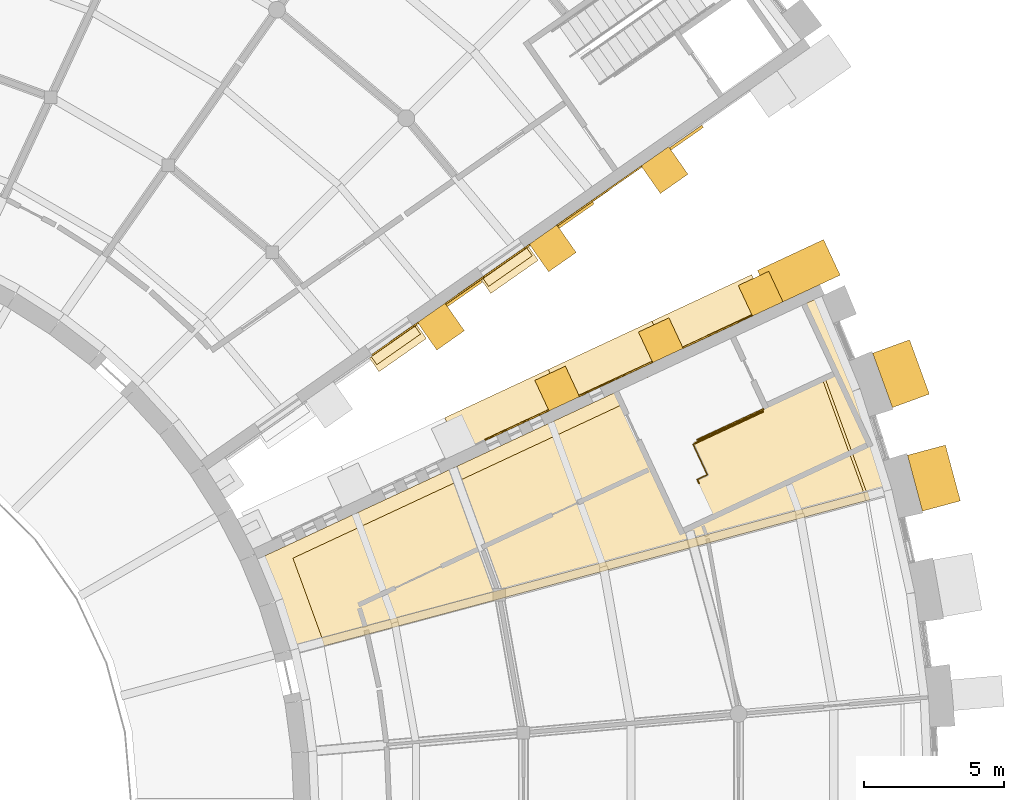
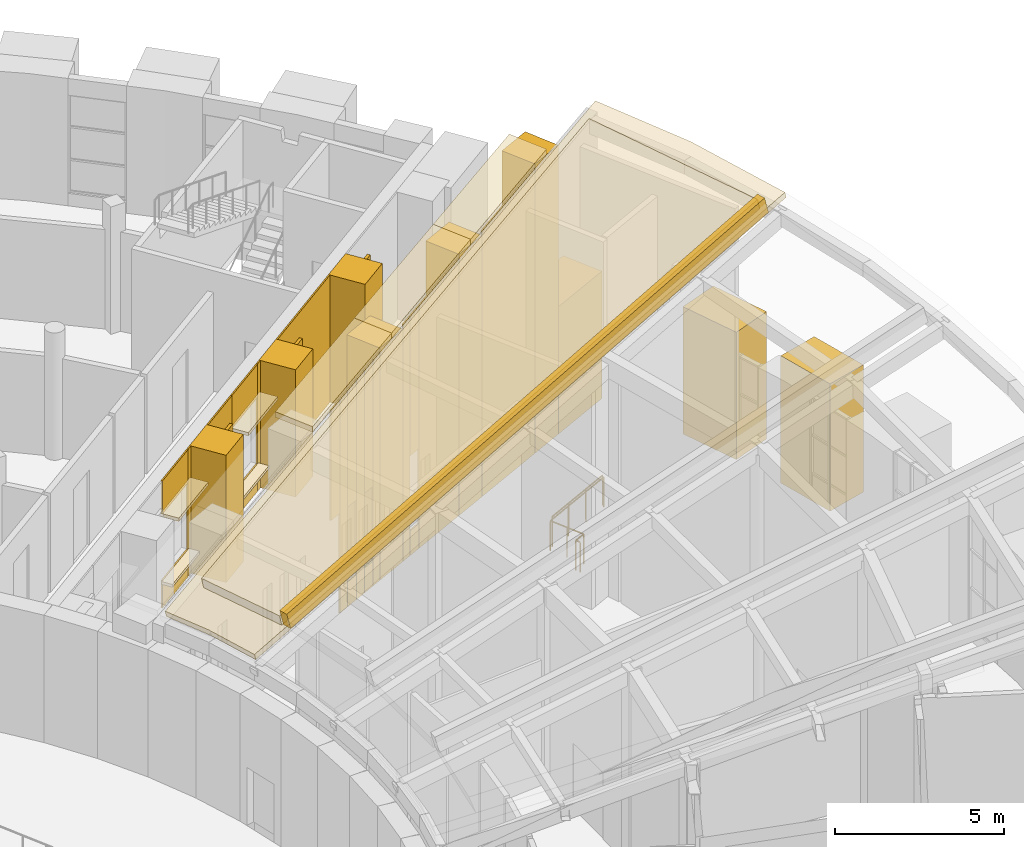
# One storey, part 44 of 50: 43 coverings, 2 railings.
"""IFC4 building model written with IfcOpenShell, lengths in metres."""

import ifcopenshell
import ifcopenshell.guid

model = None  # the IFC model being written
_history = None  # IfcOwnerHistory: only IFC2X3 demands one
_inside = {}  # id of a spatial element -> (the spatial element, [elements in it])
_under = {}  # id of a project, library or spatial element -> (it, [spatial elements below it])
_declared = {}  # id of a project -> (the project, [libraries it declares])
_typed = {}  # id of a type object -> (the type object, [elements of that type])
_made_of = {}  # id of a material, layer set ... -> (it, [elements and type objects made of it])


def new_model(schema):
    """Start an empty IFC model of exactly this schema.

    Asked for "IFC4X3", IfcOpenShell would pick the latest addendum, in which some entities
    have other attributes; the version numbers below select the first issue.
    IFC2X3 requires an IfcOwnerHistory on every rooted entity: one is made here for all.
    """
    global model, _history
    if schema == "IFC4X3":
        model = ifcopenshell.file(schema_version=(4, 3, 0, 0))
    else:
        model = ifcopenshell.file(schema=schema)
    _inside.clear()
    _under.clear()
    _declared.clear()
    _typed.clear()
    _made_of.clear()
    _history = None
    if model.schema == "IFC2X3":
        org = make("IfcOrganization", Name="unknown")
        user = make(
            "IfcPersonAndOrganization",
            ThePerson=make("IfcPerson", FamilyName="unknown"),
            TheOrganization=org,
        )
        app = make(
            "IfcApplication",
            ApplicationDeveloper=org,
            Version="unknown",
            ApplicationFullName="unknown",
            ApplicationIdentifier="unknown",
        )
        _history = make(
            "IfcOwnerHistory",
            OwningUser=user,
            OwningApplication=app,
            ChangeAction="ADDED",
            CreationDate=0,
        )
    return model


def make(cls, **values):
    """One entity of the class cls with the attributes given. An attribute that is None is left unset."""
    return model.create_entity(
        cls, **{name: value for name, value in values.items() if value is not None}
    )


def rooted(cls, **values):
    """An entity with a GlobalId (a new one), such as an element, a storey or a relation."""
    return make(cls, GlobalId=ifcopenshell.guid.new(), OwnerHistory=_history, **values)


def si_unit(unit_type, name, prefix=None):
    """IfcSIUnit, for example si_unit("LENGTHUNIT", "METRE", prefix="MILLI")."""
    return make("IfcSIUnit", UnitType=unit_type, Prefix=prefix, Name=name)


def assignment(units):
    """IfcUnitAssignment: the units of a project."""
    return None if units is None else make("IfcUnitAssignment", Units=units)


def point(xyz):
    """IfcCartesianPoint."""
    return None if xyz is None else make("IfcCartesianPoint", Coordinates=xyz)


def direction(xyz):
    """IfcDirection."""
    return None if xyz is None else make("IfcDirection", DirectionRatios=xyz)


def frame(location, z_axis=None, x_axis=None):
    """IfcAxis2Placement3D, a coordinate frame: its origin and axes. An axis left out is left unset."""
    return make(
        "IfcAxis2Placement3D",
        Location=point(location),
        Axis=direction(z_axis),
        RefDirection=direction(x_axis),
    )


def frame_2d(location, x_axis=None):
    """IfcAxis2Placement2D, a coordinate frame in the plane: its origin and x axis."""
    return make(
        "IfcAxis2Placement2D", Location=point(location), RefDirection=direction(x_axis)
    )


def origin():
    """The frame at (0, 0, 0) with its axes left unset."""
    return frame((0.0, 0.0, 0.0))


def origin_2d():
    """The frame at (0, 0) in the plane with its x axis left unset."""
    return frame_2d((0.0, 0.0))


def place(relative_to, where):
    """IfcLocalPlacement: puts the frame where relative to a parent placement (None: the world)."""
    return make(
        "IfcLocalPlacement", PlacementRelTo=relative_to, RelativePlacement=where
    )


def context(
    kind, dimensions, precision=None, world=None, true_north=None, identifier=None
):
    """IfcGeometricRepresentationContext, for example the 3D "Model" context."""
    return make(
        "IfcGeometricRepresentationContext",
        ContextIdentifier=identifier,
        ContextType=kind,
        CoordinateSpaceDimension=dimensions,
        Precision=precision,
        WorldCoordinateSystem=world,
        TrueNorth=true_north,
    )


def subcontext(parent, identifier, kind, view, scale=None):
    """IfcGeometricRepresentationSubContext, for example "Body" below "Model"."""
    return make(
        "IfcGeometricRepresentationSubContext",
        ContextIdentifier=identifier,
        ContextType=kind,
        ParentContext=parent,
        TargetScale=scale,
        TargetView=view,
    )


def project(units=None, contexts=None):
    """IfcProject with its units and contexts."""
    return rooted(
        "IfcProject",
        Name="project",
        RepresentationContexts=contexts,
        UnitsInContext=assignment(units),
    )


def spatial(cls, under=None, at=None, **own):
    """A site, building, storey or space (cls), placed at a placement, below another one or the project."""
    s = rooted(cls, ObjectPlacement=at, **own)
    if under is not None:
        _under.setdefault(under.id(), (under, []))[1].append(s)
    return s


def polyline(points):
    """IfcPolyline through the points."""
    return make("IfcPolyline", Points=[point(p) for p in points])


def profile(cls, at=None, kind="AREA", **sizes):
    """A parametric profile (cls). Its sizes go by their IFC names, for example OverallWidth=200.0."""
    return make(cls, ProfileType=kind, Position=at, **sizes)


def rectangle(**sizes):
    """IfcRectangleProfileDef."""
    return profile("IfcRectangleProfileDef", **sizes)


def circle(**sizes):
    """IfcCircleProfileDef."""
    return profile("IfcCircleProfileDef", **sizes)


def outline(outer, holes=None, kind="AREA"):
    """IfcArbitraryClosedProfileDef: a profile drawn as a closed curve; with holes, ...WithVoids."""
    if holes is None:
        return make("IfcArbitraryClosedProfileDef", ProfileType=kind, OuterCurve=outer)
    return make(
        "IfcArbitraryProfileDefWithVoids",
        ProfileType=kind,
        OuterCurve=outer,
        InnerCurves=holes,
    )


def extrude(swept, where, along, depth):
    """IfcExtrudedAreaSolid: the profile swept, set in the frame where, extruded along a direction by depth."""
    return make(
        "IfcExtrudedAreaSolid",
        SweptArea=swept,
        Position=where,
        ExtrudedDirection=direction(along),
        Depth=depth,
    )


def shape(context_of_items, identifier, shape_type, items):
    """IfcShapeRepresentation: the items that make up one representation, for example the "Body"."""
    return make(
        "IfcShapeRepresentation",
        ContextOfItems=context_of_items,
        RepresentationIdentifier=identifier,
        RepresentationType=shape_type,
        Items=items,
    )


def material(Name=None, Category=None):
    """IfcMaterial."""
    return make("IfcMaterial", Name=Name, Category=Category)


def layer(
    of_material, thickness, ventilated=None, Name=None, Category=None, Priority=None
):
    """IfcMaterialLayer: one layer of a wall or slab, of a material (None: an air gap)."""
    return make(
        "IfcMaterialLayer",
        Material=of_material,
        LayerThickness=thickness,
        IsVentilated=ventilated,
        Name=Name,
        Category=Category,
        Priority=Priority,
    )


def layer_set(layers, Name=None):
    """IfcMaterialLayerSet."""
    return make("IfcMaterialLayerSet", MaterialLayers=layers, LayerSetName=Name)


def made_of(thing, what):
    """Note that an element or type object is made of a material, layer set ...; save() writes the relation."""
    if what is not None:
        _made_of.setdefault(what.id(), (what, []))[1].append(thing)
    return thing


def type_object(cls, material=None, **own):
    """A type object (cls), such as IfcWallType, which elements share."""
    return made_of(rooted(cls, **own), material)


def element(
    cls,
    number,
    at=None,
    inside=None,
    cuts=None,
    type_object=None,
    material=None,
    context=None,
    identifier="Body",
    shape_type=None,
    held_by="IfcProductDefinitionShape",
    body=None,
    shapes=None,
    **own,
):
    """One element of the class cls, such as IfcWall. Its Tag is "e" and its number.

    at: its placement. inside: the storey or other place that contains it. cuts: it is an
    opening in that element (IfcRelVoidsElement). A single representation is given by context,
    identifier, shape_type and body (its items); several are given by shapes. held_by: the class
    of the entity that holds the representations. save() writes the other relations.
    """
    e = rooted(cls, Tag="e%d" % number, ObjectPlacement=at, **own)
    if body is not None:
        shapes = [shape(context, identifier, shape_type, body)]
    if shapes is not None:
        e.Representation = make(held_by, Representations=shapes)
    if inside is not None:
        _inside.setdefault(inside.id(), (inside, []))[1].append(e)
    if cuts is not None:
        rooted(
            "IfcRelVoidsElement", RelatingBuildingElement=cuts, RelatedOpeningElement=e
        )
    if type_object is not None:
        _typed.setdefault(type_object.id(), (type_object, []))[1].append(e)
    return made_of(e, material)


def aggregate(whole, parts):
    """IfcRelAggregates: a whole, such as a stair, and the parts it consists of."""
    return rooted("IfcRelAggregates", RelatingObject=whole, RelatedObjects=parts)


def save(model, path):
    """Write the relations noted so far, then the file.

    IfcRelAggregates (storeys below a building ...), IfcRelContainedInSpatialStructure (elements
    in a storey), IfcRelDefinesByType, IfcRelAssociatesMaterial and IfcRelDeclares: one each for
    every whole, place, type object, material and project.
    """
    for whole, parts in _under.values():
        aggregate(whole, parts)
    for where, things in _inside.values():
        rooted(
            "IfcRelContainedInSpatialStructure",
            RelatedElements=things,
            RelatingStructure=where,
        )
    for kind, things in _typed.values():
        rooted("IfcRelDefinesByType", RelatedObjects=things, RelatingType=kind)
    for what, things in _made_of.values():
        rooted("IfcRelAssociatesMaterial", RelatedObjects=things, RelatingMaterial=what)
    for by, libraries in _declared.values():
        rooted("IfcRelDeclares", RelatingContext=by, RelatedDefinitions=libraries)
    model.write(path)


model = new_model("IFC4")

# Units and contexts
model_context = context("Model", 3, precision=1e-05, world=origin(), true_north=direction((0.0, 1.0)))
body_context = subcontext(model_context, "Body", "Model", "MODEL_VIEW")
ifc_project = project(units=[si_unit("LENGTHUNIT", "METRE"), si_unit("AREAUNIT", "SQUARE_METRE"), si_unit("VOLUMEUNIT", "CUBIC_METRE"), si_unit("PLANEANGLEUNIT", "RADIAN"), si_unit("MASSUNIT", "GRAM", prefix="KILO")], contexts=[model_context])

# Site, building, storey
site_placement = place(None, origin())
site = spatial("IfcSite", under=ifc_project, at=site_placement, CompositionType="ELEMENT")
building_placement = place(site_placement, origin())
building = spatial("IfcBuilding", under=site, at=building_placement, Name="Volute Hill Aquarium", CompositionType="ELEMENT")
storey_placement = place(building_placement, frame((0.0, 0.0, 9.199951171875)))
storey = spatial("IfcBuildingStorey", under=building, at=storey_placement, Name="L03", CompositionType="ELEMENT", Elevation=9.199951171875)

# Coverings
ifc_material_1 = material(Name="Aluminium", Category="aluminium")
ifc_layer_1 = layer(ifc_material_1, 0.10009765625)
ifc_layer_set_1 = layer_set([ifc_layer_1], Name="End wall plant louvre panel 100")
covering_type_1 = type_object("IfcCoveringType", Name="End wall plant louvre panel 100", PredefinedType="CLADDING", material=ifc_layer_set_1)
for number, where, z_axis, x_axis, name in (
    (1, (26.47509765625, 18.171875, 1.300048828125), (0.0, 0.0, 1.0), (0.819150254575, 0.573578992319, 0.0), "End wall plant louvre EWV S5A L03 3"),
    (2, (30.461181640625, 20.962890625, 1.300048828125), (0.0, 0.0, 1.0), (0.819150254575, 0.573578992319, 0.0), "End wall plant louvre EWV S5A L03 4"),
):
    element("IfcCovering", number, at=place(storey_placement, frame(where, z_axis=z_axis, x_axis=x_axis)), inside=storey, type_object=covering_type_1, Name=name, PredefinedType="CLADDING", context=body_context, shape_type="SweptSolid", body=[
        extrude(rectangle(XDim=1.51611328125, YDim=0.10009765625, at=origin_2d()), origin(), (0.0, 0.0, 1.0), 2.39990234375),
    ])
covering_1_placement = place(storey_placement, frame((34.404052734375, 23.723876953125, 1.300048828125), z_axis=(0.0, 0.0, 1.0), x_axis=(0.819150254575, 0.573578992319, 0.0)))
element("IfcCovering", 3, at=covering_1_placement, inside=storey, type_object=covering_type_1, Name="End wall plant louvre EWV S5A L03 5", PredefinedType="CLADDING", context=body_context, shape_type="SweptSolid", body=[
    extrude(rectangle(XDim=1.4111328125, YDim=0.10009765625, at=origin_2d()), origin(), (0.0, 0.0, 1.0), 2.39990234375),
])
ifc_material_2 = material(Name="Precast concrete C40/50", Category="concrete")
covering_type_2 = type_object("IfcCoveringType", Name="End wall precast coping C40/50 1350x200", PredefinedType="CLADDING", material=ifc_material_2)
for number, where, z_axis, x_axis, name in (
    (4, (26.354248046875, 12.509765625, 7.3427734375), (0.422632963548, -0.906300931326, 0.0), (0.87775982678, 0.409323464263, 0.248981903148), "End wall coping EWC S4B L03 3"),
    (5, (30.04833984375, 14.232421875, 8.390625), (0.422632963548, -0.906300931326, 0.0), (0.87775982678, 0.409323464263, 0.248981903148), "End wall coping EWC S4B L03 4"),
):
    element("IfcCovering", number, at=place(storey_placement, frame(where, z_axis=z_axis, x_axis=x_axis)), inside=storey, type_object=covering_type_2, Name=name, PredefinedType="CLADDING", context=body_context, shape_type="SweptSolid", body=[
        extrude(outline(polyline([(0.0, 0.0), (4.208545075965912, 0.0), (4.25832929927611, 0.19365433701207424), (0.04978422331019887, 0.19365433701207427), (0.0, 0.0)])), origin(), (0.0, 0.0, -1.0), 1.35009765625),
    ])
covering_2_placement = place(storey_placement, frame((33.742431640625, 15.955078125, 9.4384765625), z_axis=(0.422619905997, -0.906307020306, 0.0), x_axis=(0.877765405397, 0.409310669348, 0.248983270613)))
element("IfcCovering", 6, at=covering_2_placement, inside=storey, type_object=covering_type_2, Name="End wall coping EWC S4B L03 5", PredefinedType="CLADDING", context=body_context, shape_type="SweptSolid", body=[
    extrude(outline(polyline([(0.0, 0.0), (4.053595011686332, 0.0), (4.103379508422662, 0.19365426672009112), (0.0497844967363295, 0.19365426672009112), (0.0, 0.0)])), origin(), (0.0, 0.0, -1.0), 1.35009765625),
])
ifc_material_3 = material(Name="Precast concrete C40/50", Category="concrete")
covering_type_3 = type_object("IfcCoveringType", Name="End wall precast fin C40/50 1200x1200", PredefinedType="CLADDING", material=ifc_material_3)
covering_3_placement = place(storey_placement, frame((29.794921875, 14.7763671875, 0.0), z_axis=(0.0, 0.0, 1.0), x_axis=(0.906306960471, 0.422620034311, 0.0)))
element("IfcCovering", 7, at=covering_3_placement, inside=storey, type_object=covering_type_3, Name="End wall fin EWF S4B L03 4", PredefinedType="CLADDING", context=body_context, shape_type="SweptSolid", body=[
    extrude(rectangle(XDim=1.199951171875, YDim=1.199951171875, at=origin_2d()), origin(), (0.0, 0.0, 1.0), 8.390625),
])
covering_4_placement = place(storey_placement, frame((33.489013671875, 16.498779296875, 0.0), z_axis=(0.0, 0.0, 1.0), x_axis=(0.906306960471, 0.422620034311, 0.0)))
element("IfcCovering", 8, at=covering_4_placement, inside=storey, type_object=covering_type_3, Name="End wall fin EWF S4B L03 5", PredefinedType="CLADDING", context=body_context, shape_type="SweptSolid", body=[
    extrude(rectangle(XDim=1.199951171875, YDim=1.199951171875, at=origin_2d()), origin(), (0.0, 0.0, 1.0), 9.4384765625),
])
covering_5_placement = place(storey_placement, frame((37.047119140625, 18.157958984375, 0.0), z_axis=(0.0, 0.0, 1.0), x_axis=(0.906306960471, 0.422620034311, 0.0)))
element("IfcCovering", 9, at=covering_5_placement, inside=storey, type_object=covering_type_3, Name="End wall fin EWF S4B L03 6", PredefinedType="CLADDING", context=body_context, shape_type="SweptSolid", body=[
    extrude(rectangle(XDim=1.199951171875, YDim=1.199951171875, at=origin_2d()), origin(), (0.0, 0.0, 1.0), 10.44775390625),
])
for number, where, z_axis, x_axis, name in (
    (10, (25.6494140625, 16.9833984375, 0.0), (0.0, 0.0, 1.0), (0.819150254575, 0.573578992319, 0.0), "End wall fin EWF S5A L03 3"),
    (11, (29.635498046875, 19.7744140625, 0.0), (0.0, 0.0, 1.0), (0.819150254575, 0.573578992319, 0.0), "End wall fin EWF S5A L03 4"),
    (12, (33.621337890625, 22.5654296875, 0.0), (0.0, 0.0, 1.0), (0.819150254575, 0.573578992319, 0.0), "End wall fin EWF S5A L03 5"),
):
    element("IfcCovering", number, at=place(storey_placement, frame(where, z_axis=z_axis, x_axis=x_axis)), inside=storey, type_object=covering_type_3, Name=name, PredefinedType="CLADDING", context=body_context, shape_type="SweptSolid", body=[
        extrude(rectangle(XDim=1.199951171875, YDim=1.199951171875, at=origin_2d()), origin(), (0.0, 0.0, 1.0), 4.60009765625),
    ])
ifc_material_4 = material(Name="Precast concrete C40/50", Category="concrete")
ifc_layer_2 = layer(ifc_material_4, 0.050048828125)
ifc_layer_set_2 = layer_set([ifc_layer_2], Name="End wall precast infill panel C40/50 50")
covering_type_4 = type_object("IfcCoveringType", Name="End wall precast infill panel C40/50 50", PredefinedType="CLADDING", material=ifc_layer_set_2)
covering_6_placement = place(storey_placement, frame((27.21533203125, 12.911376953125, 3.60009765625), z_axis=(0.422529111883, -0.90634935296, 0.0), x_axis=(0.90634935296, 0.422529111883, 0.0)))
element("IfcCovering", 13, at=covering_6_placement, inside=storey, type_object=covering_type_4, Name="End wall panel EWP S4B L03 3", PredefinedType="CLADDING", context=body_context, shape_type="SweptSolid", body=[
    extrude(outline(polyline([(0.0, 0.0), (0.4501122917366558, 0.0), (0.4501122917366558, 4.1025390625), (0.0, 3.98681640625), (0.0, 0.0)])), origin(), (0.0, 0.0, -1.0), 0.050048828125),
])
covering_7_placement = place(storey_placement, frame((27.623291015625, 13.1015625, 0.0), z_axis=(0.422917846092, -0.906168028269, 0.0), x_axis=(0.906168028269, 0.422917846092, 0.0)))
element("IfcCovering", 14, at=covering_7_placement, inside=storey, type_object=covering_type_4, Name="End wall panel EWP S4B L03 3", PredefinedType="CLADDING", context=body_context, shape_type="SweptSolid", body=[
    extrude(outline(polyline([(0.0, 0.0), (0.41275285138278023, 0.0), (0.41275285138278023, 7.808837890625), (0.0, 7.70263671875), (0.0, 0.0)])), origin(), (0.0, 0.0, -1.0), 0.050048828125),
])
covering_8_placement = place(storey_placement, frame((27.997314453125, 13.276123046875, 0.0), z_axis=(0.422529111883, -0.90634935296, 0.0), x_axis=(0.90634935296, 0.422529111883, 0.0)))
element("IfcCovering", 15, at=covering_8_placement, inside=storey, type_object=covering_type_4, Name="End wall panel EWP S4B L03 3", PredefinedType="CLADDING", context=body_context, shape_type="SweptSolid", body=[
    extrude(outline(polyline([(0.0, 0.0), (0.4501122917366558, 0.0), (0.4501122917366558, 0.900146484375), (0.0, 0.900146484375), (0.0, 0.0)])), origin(), (0.0, 0.0, -1.0), 0.050048828125),
])
covering_9_placement = place(storey_placement, frame((27.997314453125, 13.276123046875, 3.60009765625), z_axis=(0.422529111883, -0.90634935296, 0.0), x_axis=(0.90634935296, 0.422529111883, 0.0)))
element("IfcCovering", 16, at=covering_9_placement, inside=storey, type_object=covering_type_4, Name="End wall panel EWP S4B L03 3", PredefinedType="CLADDING", context=body_context, shape_type="SweptSolid", body=[
    extrude(outline(polyline([(0.0, 0.0), (0.4501122917366558, 0.0), (0.4501122917366558, 4.324462890625), (0.0, 4.208740234375), (0.0, 0.0)])), origin(), (0.0, 0.0, -1.0), 0.050048828125),
])
covering_10_placement = place(storey_placement, frame((28.4052734375, 13.46630859375, 0.0), z_axis=(0.422431964594, -0.906394635515, 0.0), x_axis=(0.906394635515, 0.422431964594, 0.0)))
element("IfcCovering", 17, at=covering_10_placement, inside=storey, type_object=covering_type_4, Name="End wall panel EWP S4B L03 3", PredefinedType="CLADDING", context=body_context, shape_type="SweptSolid", body=[
    extrude(outline(polyline([(0.0, 0.0), (0.4126496592598029, 0.0), (0.4126496592598029, 8.030517578125), (0.0, 7.924560546875), (0.0, 0.0)])), origin(), (0.0, 0.0, -1.0), 0.050048828125),
])
covering_11_placement = place(storey_placement, frame((28.779296875, 13.640625, 0.0), z_axis=(0.422529111883, -0.90634935296, 0.0), x_axis=(0.90634935296, 0.422529111883, 0.0)))
element("IfcCovering", 18, at=covering_11_placement, inside=storey, type_object=covering_type_4, Name="End wall panel EWP S4B L03 3", PredefinedType="CLADDING", context=body_context, shape_type="SweptSolid", body=[
    extrude(outline(polyline([(0.0, 0.0), (0.4501122917366558, 0.0), (0.4501122917366558, 0.900146484375), (0.0, 0.900146484375), (0.0, 0.0)])), origin(), (0.0, 0.0, -1.0), 0.050048828125),
])
covering_12_placement = place(storey_placement, frame((28.779296875, 13.640625, 3.60009765625), z_axis=(0.422529111883, -0.90634935296, 0.0), x_axis=(0.90634935296, 0.422529111883, 0.0)))
element("IfcCovering", 19, at=covering_12_placement, inside=storey, type_object=covering_type_4, Name="End wall panel EWP S4B L03 3", PredefinedType="CLADDING", context=body_context, shape_type="SweptSolid", body=[
    extrude(outline(polyline([(0.0, 0.0), (0.4501122917366558, 0.0), (0.4501122917366558, 4.546142578125), (0.0, 4.430419921875), (0.0, 0.0)])), origin(), (0.0, 0.0, -1.0), 0.050048828125),
])
covering_13_placement = place(storey_placement, frame((29.187255859375, 13.830810546875, 0.0), z_axis=(0.422503748493, -0.906361176634, 0.0), x_axis=(0.906361176634, 0.422503748493, 0.0)))
element("IfcCovering", 20, at=covering_13_placement, inside=storey, type_object=covering_type_4, Name="End wall panel EWP S4B L03 3", PredefinedType="CLADDING", context=body_context, shape_type="SweptSolid", body=[
    extrude(outline(polyline([(0.0, 0.0), (0.35017255888939314, 0.0), (0.35017255888939314, 8.236328125), (0.0, 8.146240234375), (0.0, 0.0)])), origin(), (0.0, 0.0, -1.0), 0.050048828125),
])
covering_14_placement = place(storey_placement, frame((30.592041015625, 14.486083984375, 0.0), z_axis=(0.422503748493, -0.906361176634, 0.0), x_axis=(0.906361176634, 0.422503748493, 0.0)))
element("IfcCovering", 21, at=covering_14_placement, inside=storey, type_object=covering_type_4, Name="End wall panel EWP S4B L03 4", PredefinedType="CLADDING", context=body_context, shape_type="SweptSolid", body=[
    extrude(outline(polyline([(0.0, 0.0), (0.35017255888939314, 0.0), (0.35017255888939314, 8.635009765625), (0.0, 8.544921875), (0.0, 0.0)])), origin(), (0.0, 0.0, -1.0), 0.050048828125),
])
covering_15_placement = place(storey_placement, frame((30.909423828125, 14.634033203125, 0.0), z_axis=(0.422529111883, -0.90634935296, 0.0), x_axis=(0.90634935296, 0.422529111883, 0.0)))
element("IfcCovering", 22, at=covering_15_placement, inside=storey, type_object=covering_type_4, Name="End wall panel EWP S4B L03 4", PredefinedType="CLADDING", context=body_context, shape_type="SweptSolid", body=[
    extrude(outline(polyline([(0.0, 0.0), (0.4501122917366558, 0.0), (0.4501122917366558, 0.900146484375), (0.0, 0.900146484375), (0.0, 0.0)])), origin(), (0.0, 0.0, -1.0), 0.050048828125),
])
covering_16_placement = place(storey_placement, frame((30.909423828125, 14.634033203125, 3.60009765625), z_axis=(0.422529111883, -0.90634935296, 0.0), x_axis=(0.90634935296, 0.422529111883, 0.0)))
element("IfcCovering", 23, at=covering_16_placement, inside=storey, type_object=covering_type_4, Name="End wall panel EWP S4B L03 4", PredefinedType="CLADDING", context=body_context, shape_type="SweptSolid", body=[
    extrude(outline(polyline([(0.0, 0.0), (0.4501122917366558, 0.0), (0.4501122917366558, 5.150634765625), (0.0, 5.034912109375), (0.0, 0.0)])), origin(), (0.0, 0.0, -1.0), 0.050048828125),
])
covering_17_placement = place(storey_placement, frame((31.3173828125, 14.82421875, 0.0), z_axis=(0.42258282485, -0.906324310687, 0.0), x_axis=(0.906324310687, 0.42258282485, 0.0)))
element("IfcCovering", 24, at=covering_17_placement, inside=storey, type_object=covering_type_4, Name="End wall panel EWP S4B L03 4", PredefinedType="CLADDING", context=body_context, shape_type="SweptSolid", body=[
    extrude(outline(polyline([(0.0, 0.0), (2.0757996161714036, 0.0), (2.0757996161714036, 9.2841796875), (0.0, 8.750732421875), (0.0, 0.0)])), origin(), (0.0, 0.0, -1.0), 0.050048828125),
])
covering_18_placement = place(storey_placement, frame((34.2861328125, 16.20849609375, 0.0), z_axis=(0.422615797409, -0.906308936169, 0.0), x_axis=(0.906308936169, 0.422615797409, 0.0)))
element("IfcCovering", 25, at=covering_18_placement, inside=storey, type_object=covering_type_4, Name="End wall panel EWP S4B L03 5", PredefinedType="CLADDING", context=body_context, shape_type="SweptSolid", body=[
    extrude(outline(polyline([(0.0, 0.0), (2.726115815919565, 0.0), (2.726115815919565, 10.29345703125), (0.0, 9.5927734375), (0.0, 0.0)])), origin(), (0.0, 0.0, -1.0), 0.050048828125),
])
covering_19_placement = place(storey_placement, frame((23.204345703125, 15.942626953125, 0.0), z_axis=(0.573553363558, -0.819168199548, 0.0), x_axis=(0.819168199548, 0.573553363558, 0.0)))
element("IfcCovering", 26, at=covering_19_placement, inside=storey, type_object=covering_type_4, Name="End wall panel EWP S5A L03 2", PredefinedType="CLADDING", context=body_context, shape_type="SweptSolid", body=[
    extrude(outline(polyline([(0.0, 0.0), (1.800130151308322, 0.0), (1.800130151308322, 1.0), (0.0, 1.0), (0.0, 0.0)])), origin(), (0.0, 0.0, -1.0), 0.050048828125),
])
covering_20_placement = place(storey_placement, frame((23.204345703125, 15.942626953125, 3.400146484375), z_axis=(0.573553363558, -0.819168199548, 0.0), x_axis=(0.819168199548, 0.573553363558, 0.0)))
element("IfcCovering", 27, at=covering_20_placement, inside=storey, type_object=covering_type_4, Name="End wall panel EWP S5A L03 2", PredefinedType="CLADDING", context=body_context, shape_type="SweptSolid", body=[
    extrude(outline(polyline([(0.0, 0.0), (1.800130151308322, 0.0), (1.800130151308322, 1.199951171875), (0.0, 1.199951171875), (0.0, 0.0)])), origin(), (0.0, 0.0, -1.0), 0.050048828125),
])
covering_21_placement = place(storey_placement, frame((24.678955078125, 16.97509765625, 0.0), z_axis=(0.573462344363, -0.819231920519, 0.0), x_axis=(0.819231920519, 0.573462344363, 0.0)))
element("IfcCovering", 28, at=covering_21_placement, inside=storey, type_object=covering_type_4, Name="End wall panel EWP S5A L03 2", PredefinedType="CLADDING", context=body_context, shape_type="SweptSolid", body=[
    extrude(outline(polyline([(0.0, 0.0), (0.19966777984720657, 0.0), (0.19966777984720657, 4.60009765625), (0.0, 4.60009765625), (0.0, 0.0)])), origin(), (0.0, 0.0, -1.0), 0.050048828125),
])
covering_22_placement = place(storey_placement, frame((25.825439453125, 17.77783203125, 0.0), z_axis=(0.573590165683, -0.819142430736, 0.0), x_axis=(0.819142430736, 0.573590165683, 0.0)))
element("IfcCovering", 29, at=covering_22_placement, inside=storey, type_object=covering_type_4, Name="End wall panel EWP S5A L03 3", PredefinedType="CLADDING", context=body_context, shape_type="SweptSolid", body=[
    extrude(outline(polyline([(0.0, 0.0), (1.6663649484601517, 0.0), (1.6663649484601517, 4.60009765625), (0.0, 4.60009765625), (0.0, 0.0)])), origin(), (0.0, 0.0, -1.0), 0.050048828125),
])
covering_23_placement = place(storey_placement, frame((27.1904296875, 18.733642578125, 0.0), z_axis=(0.573617089972, -0.819123576813, 0.0), x_axis=(0.819123576813, 0.573617089972, 0.0)))
element("IfcCovering", 30, at=covering_23_placement, inside=storey, type_object=covering_type_4, Name="End wall panel EWP S5A L03 3", PredefinedType="CLADDING", context=body_context, shape_type="SweptSolid", body=[
    extrude(outline(polyline([(0.0, 0.0), (1.799930164518913, 0.0), (1.799930164518913, 1.0), (0.0, 1.0), (0.0, 0.0)])), origin(), (0.0, 0.0, -1.0), 0.050048828125),
])
covering_24_placement = place(storey_placement, frame((27.1904296875, 18.733642578125, 3.400146484375), z_axis=(0.573617089972, -0.819123576813, 0.0), x_axis=(0.819123576813, 0.573617089972, 0.0)))
element("IfcCovering", 31, at=covering_24_placement, inside=storey, type_object=covering_type_4, Name="End wall panel EWP S5A L03 3", PredefinedType="CLADDING", context=body_context, shape_type="SweptSolid", body=[
    extrude(outline(polyline([(0.0, 0.0), (1.799930164518913, 0.0), (1.799930164518913, 1.199951171875), (0.0, 1.199951171875), (0.0, 0.0)])), origin(), (0.0, 0.0, -1.0), 0.050048828125),
])
covering_25_placement = place(storey_placement, frame((28.664794921875, 19.76611328125, 0.0), z_axis=(0.57288833976, -0.819633424262, 0.0), x_axis=(0.819633424262, 0.57288833976, 0.0)))
element("IfcCovering", 32, at=covering_25_placement, inside=storey, type_object=covering_type_4, Name="End wall panel EWP S5A L03 3", PredefinedType="CLADDING", context=body_context, shape_type="SweptSolid", body=[
    extrude(outline(polyline([(0.0, 0.0), (0.19986783667653069, 0.0), (0.19986783667653069, 4.60009765625), (0.0, 4.60009765625), (0.0, 0.0)])), origin(), (0.0, 0.0, -1.0), 0.050048828125),
])
covering_26_placement = place(storey_placement, frame((29.8115234375, 20.569091796875, 0.0), z_axis=(0.573551735759, -0.819169339275, 0.0), x_axis=(0.819169339275, 0.573551735759, 0.0)))
element("IfcCovering", 33, at=covering_26_placement, inside=storey, type_object=covering_type_4, Name="End wall panel EWP S5A L03 4", PredefinedType="CLADDING", context=body_context, shape_type="SweptSolid", body=[
    extrude(outline(polyline([(0.0, 0.0), (3.6658228567958964, 0.0), (3.6658228567958964, 4.60009765625), (0.0, 4.60009765625), (0.0, 0.0)])), origin(), (0.0, 0.0, -1.0), 0.050048828125),
])
ifc_material_5 = material(Name="Precast concrete C40/50", Category="concrete")
ifc_layer_3 = layer(ifc_material_5, 0.1201171875)
ifc_layer_set_3 = layer_set([ifc_layer_3], Name="End wall window head blade precast C40/50 600x120")
covering_type_5 = type_object("IfcCoveringType", Name="End wall window head blade precast C40/50 600x120", PredefinedType="CLADDING", material=ifc_layer_set_3)
for number, where, z_axis, x_axis, name in (
    (34, (24.11376953125, 16.213134765625, 3.39990234375), (0.0, 0.0, 1.0), (0.819150254575, 0.573578992319, 0.0), "End wall window head blade EWB S5A L03 2.1"),
    (35, (28.099609375, 19.004150390625, 3.39990234375), (0.0, 0.0, 1.0), (0.819150254575, 0.573578992319, 0.0), "End wall window head blade EWB S5A L03 3.1"),
):
    element("IfcCovering", number, at=place(storey_placement, frame(where, z_axis=z_axis, x_axis=x_axis)), inside=storey, type_object=covering_type_5, Name=name, PredefinedType="CLADDING", context=body_context, shape_type="SweptSolid", body=[
        extrude(rectangle(XDim=2.06005859375, YDim=0.60009765625, at=origin_2d()), origin(), (0.0, 0.0, 1.0), 0.1201171875),
    ])
ifc_material_6 = material(Name="Precast concrete C40/50", Category="concrete")
ifc_layer_4 = layer(ifc_material_6, 0.10009765625)
ifc_layer_set_4 = layer_set([ifc_layer_4], Name="End wall window sill precast C40/50 350x100")
covering_type_6 = type_object("IfcCoveringType", Name="End wall window sill precast C40/50 350x100", PredefinedType="CLADDING", material=ifc_layer_set_4)
for number, where, z_axis, x_axis, name in (
    (36, (24.0419921875, 16.3154296875, 0.89990234375), (0.0, 0.0, 1.0), (0.819150254575, 0.573578992319, 0.0), "End wall window sill EWS S5A L03 2.1"),
    (37, (28.02783203125, 19.1064453125, 0.89990234375), (0.0, 0.0, 1.0), (0.819150254575, 0.573578992319, 0.0), "End wall window sill EWS S5A L03 3.1"),
):
    element("IfcCovering", number, at=place(storey_placement, frame(where, z_axis=z_axis, x_axis=x_axis)), inside=storey, type_object=covering_type_6, Name=name, PredefinedType="CLADDING", context=body_context, shape_type="SweptSolid", body=[
        extrude(rectangle(XDim=1.89990234375, YDim=0.35009765625, at=origin_2d()), origin(), (0.0, 0.0, 1.0), 0.10009765625),
    ])
ifc_material_7 = material(Name="Sedum blanket")
ifc_layer_5 = layer(ifc_material_7, 0.219970703125)
ifc_layer_set_5 = layer_set([ifc_layer_5], Name="Green roof build-up sedum 220")
covering_type_7 = type_object("IfcCoveringType", Name="Green roof build-up sedum 220", PredefinedType="ROOFING", material=ifc_layer_set_5)
covering_27_placement = place(storey_placement, frame((19.7333984375, 7.182373046875, 5.747802734375), z_axis=(-0.234812587383, -0.085451891563, 0.968277348199), x_axis=(0.300780290562, -0.95362747972, -0.011218142971)))
element("IfcCovering", 38, at=covering_27_placement, inside=storey, type_object=covering_type_7, Name="Planted roof RF S4 5", PredefinedType="ROOFING", context=body_context, shape_type="SweptSolid", body=[
    extrude(outline(polyline([(0.0, 0.0), (1.8320218956754337, -6.938893903907228e-18), (2.7384987712970705, 22.9034425034801), (-1.0304167126160753, 22.90381135558824), (-4.58466443177294, 22.583089950032548), (-1.625220588261061, -0.1465117125198144), (0.0, 0.0)])), origin(), (0.0, 0.0, -1.0), 0.219970703125),
])

# Railings
ifc_material_8 = material(Name="Stainless steel 1.4301", Category="steel")
railing_type = type_object("IfcRailingType", Name="Guard 1100 stainless", PredefinedType="GUARDRAIL", material=ifc_material_8)
railing_1_placement = place(storey_placement, frame((37.14501953125, 14.0439453125, 0.0)))
element("IfcRailing", 39, at=railing_1_placement, inside=storey, type_object=railing_type, Name="gd/S4-B/L03/edge", PredefinedType="GUARDRAIL", context=body_context, shape_type="SweptSolid", body=[
    extrude(circle(Radius=0.02392578125, at=origin_2d()), frame((0.0, 0.0, 1.076171875), z_axis=(-0.906300648467, -0.422633570115, 0.0), x_axis=(0.422633570115, -0.906300648467, 0.0)), (0.0, 0.0, 1.0), 2.60009765625),
    extrude(circle(Radius=0.02099609375, at=origin_2d()), origin(), (0.0, 0.0, 1.0), 1.052001953125),
    extrude(circle(Radius=0.02099609375, at=origin_2d()), frame((-0.785400390625, -0.3662109375, 0.0)), (0.0, 0.0, 1.0), 1.052001953125),
    extrude(circle(Radius=0.02099609375, at=origin_2d()), frame((-1.571044921875, -0.732666015625, 0.0)), (0.0, 0.0, 1.0), 1.052001953125),
    extrude(circle(Radius=0.02099609375, at=origin_2d()), frame((-2.3564453125, -1.098876953125, 0.0)), (0.0, 0.0, 1.0), 1.052001953125),
])
railing_2_placement = place(storey_placement, frame((34.84912109375, 11.3955078125, 0.0)))
element("IfcRailing", 40, at=railing_2_placement, inside=storey, type_object=railing_type, Name="gd/S4-B/L03/well", PredefinedType="GUARDRAIL", context=body_context, shape_type="SweptSolid", body=[
    extrude(circle(Radius=0.02392578125, at=origin_2d()), frame((0.0, 0.0, 1.076171875), z_axis=(-0.422974523056, 0.906141574394, 0.0), x_axis=(-0.906141574394, -0.422974523056, 0.0)), (0.0, 0.0, 1.0), 0.150146484375),
    extrude(circle(Radius=0.02392578125, at=origin_2d()), frame((-0.0634765625, 0.135986328125, 1.076171875), z_axis=(0.906416906794, 0.422384174748, 0.0), x_axis=(-0.422384174748, 0.906416906794, 0.0)), (0.0, 0.0, 1.0), 0.39990234375),
    extrude(circle(Radius=0.02392578125, at=origin_2d()), frame((0.299072265625, 0.304931640625, 1.076171875), z_axis=(-0.422551314709, 0.90633900194, 0.0), x_axis=(-0.90633900194, -0.422551314709, 0.0)), (0.0, 0.0, 1.0), 1.199951171875),
    extrude(circle(Radius=0.02392578125, at=origin_2d()), frame((-0.2080078125, 1.392578125, 1.076171875), z_axis=(0.906325974127, 0.422579257209, 0.0), x_axis=(-0.422579257209, 0.906325974127, 0.0)), (0.0, 0.0, 1.0), 2.75),
    extrude(circle(Radius=0.02099609375, at=origin_2d()), origin(), (0.0, 0.0, 1.0), 1.052001953125),
    extrude(circle(Radius=0.02099609375, at=origin_2d()), frame((-0.0634765625, 0.135986328125, 0.0)), (0.0, 0.0, 1.0), 1.052001953125),
    extrude(circle(Radius=0.02099609375, at=origin_2d()), frame((0.299072265625, 0.304931640625, 0.0)), (0.0, 0.0, 1.0), 1.052001953125),
    extrude(circle(Radius=0.02099609375, at=origin_2d()), frame((0.04541015625, 0.8486328125, 0.0)), (0.0, 0.0, 1.0), 1.052001953125),
    extrude(circle(Radius=0.02099609375, at=origin_2d()), frame((-0.2080078125, 1.392578125, 0.0)), (0.0, 0.0, 1.0), 1.052001953125),
    extrude(circle(Radius=0.02099609375, at=origin_2d()), frame((0.622802734375, 1.780029296875, 0.0)), (0.0, 0.0, 1.0), 1.052001953125),
    extrude(circle(Radius=0.02099609375, at=origin_2d()), frame((1.45361328125, 2.167236328125, 0.0)), (0.0, 0.0, 1.0), 1.052001953125),
    extrude(circle(Radius=0.02099609375, at=origin_2d()), frame((2.284423828125, 2.5546875, 0.0)), (0.0, 0.0, 1.0), 1.052001953125),
])

# Coverings
ifc_material_9 = material(Name="Planted growing medium")
ifc_layer_6 = layer(ifc_material_9, 0.39990234375)
ifc_layer_set_6 = layer_set([ifc_layer_6], Name="Planted roof bed 400")
covering_type_8 = type_object("IfcCoveringType", Name="Planted roof bed 400", PredefinedType="CLADDING", material=ifc_layer_set_6)
covering_28_placement = place(storey_placement, frame((40.722900390625, 11.06689453125, 11.59375), z_axis=(-0.23481072321, -0.085466081107, 0.968276547917), x_axis=(-0.342029191978, 0.939689327296, -5.75936e-07)))
element("IfcCovering", 41, at=covering_28_placement, inside=storey, type_object=covering_type_8, Name="Planted roof bed RB S4 5", PredefinedType="CLADDING", context=body_context, shape_type="SweptSolid", body=[
    extrude(outline(polyline([(0.0, 0.0), (6.504861746585108, 0.0), (4.762000642637858, 20.576187470928122), (1.7432770716587322, 20.576209421262583), (0.0, 0.0)])), origin(), (0.0, 0.0, -1.0), 0.39990234375),
])
ifc_material_10 = material(Name="Precast concrete C30/37", Category="concrete")
covering_type_9 = type_object("IfcCoveringType", Name="Planted roof kerb precast concrete C30/37 300x600", PredefinedType="CLADDING", material=ifc_material_10)
covering_29_placement = place(storey_placement, frame((21.482421875, 5.600830078125, 6.65869140625), z_axis=(-0.245959437595, -0.043868032381, 0.968286915533), x_axis=(0.935505338886, 0.250667713866, 0.248988871522)))
element("IfcCovering", 42, at=covering_29_placement, inside=storey, type_object=covering_type_9, Name="Planted roof kerb RK S4 4.2", PredefinedType="CLADDING", context=body_context, shape_type="SweptSolid", body=[
    extrude(outline(polyline([(0.0, 0.0), (20.649925159579663, 4.85722573273506e-16), (20.648296541186568, 0.30008224911009856), (-0.001628618393094104, 0.300082249110098), (0.0, 0.0)])), origin(), (0.0, 0.0, -1.0), 0.60009765625),
])
ifc_material_11 = material(Name="Precast concrete C40/50", Category="concrete")
covering_type_10 = type_object("IfcCoveringType", Name="Projecting pier precast concrete C40/50 2062x1400", PredefinedType="CLADDING", material=ifc_material_11)
for number, where, z_axis, x_axis, name in (
    (43, (43.227294921875, 11.582763671875, 0.0), (0.0, 0.0, 1.0), (-0.258819045103, 0.965925826289, 0.0), "Projecting pier PP S4 L03 8"),
    (44, (42.053466796875, 15.30615234375, 0.0), (0.0, 0.0, 1.0), (-0.342020143326, 0.939692620786, 0.0), "Projecting pier PP S4 L03 9"),
):
    element("IfcCovering", number, at=place(storey_placement, frame(where, z_axis=z_axis, x_axis=x_axis)), inside=storey, type_object=covering_type_10, Name=name, PredefinedType="CLADDING", context=body_context, shape_type="SweptSolid", body=[
        extrude(rectangle(XDim=2.06201171875, YDim=1.39990234375, at=origin_2d()), origin(), (0.0, 0.0, 1.0), 4.60009765625),
    ])
ifc_material_12 = material(Name="Precast concrete C40/50", Category="concrete")
covering_type_11 = type_object("IfcCoveringType", Name="Step pylon precast concrete C40/50 1400x2600", PredefinedType="CLADDING", material=ifc_material_12)
covering_30_placement = place(storey_placement, frame((38.40966796875, 18.90380859375, 0.0), z_axis=(0.0, 0.0, 1.0), x_axis=(0.906307787037, 0.422618261741, 0.0)))
element("IfcCovering", 45, at=covering_30_placement, inside=storey, type_object=covering_type_11, Name="Step pylon SPY S4B L03", PredefinedType="CLADDING", context=body_context, shape_type="SweptSolid", body=[
    extrude(rectangle(XDim=2.60009765625, YDim=1.39990234375, at=origin_2d()), origin(), (0.0, 0.0, 1.0), 4.60009765625),
])

save(model, "model.ifc")
